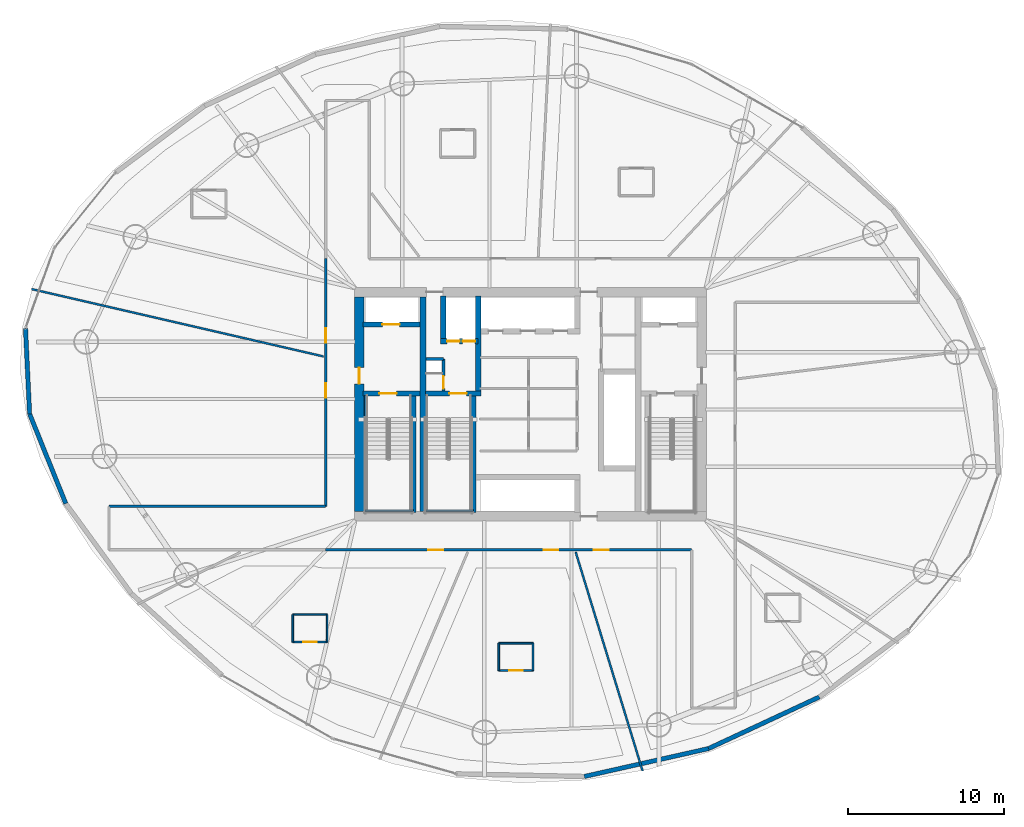
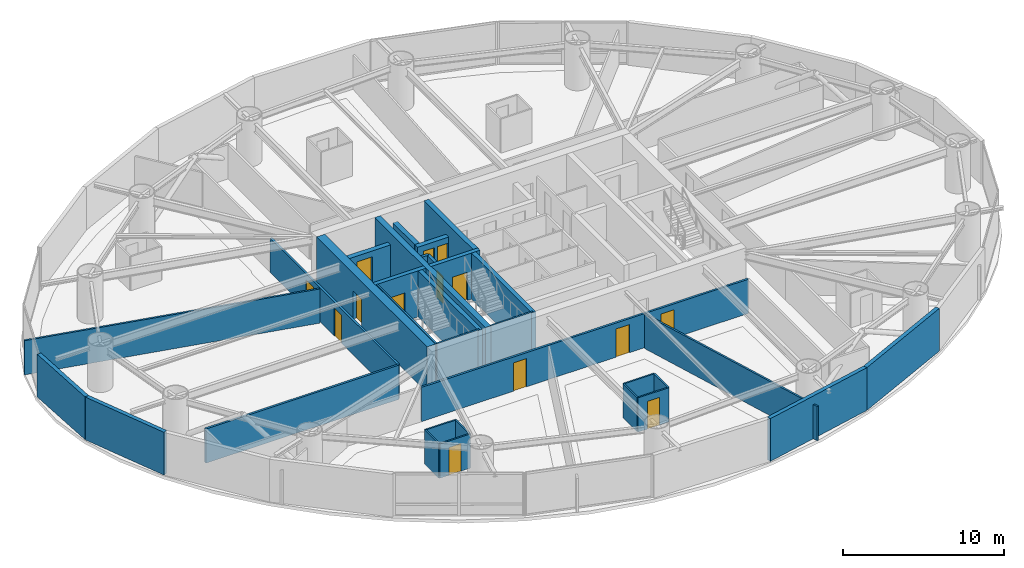
# One storey, part 16 of 23: 32 walls, 14 doors, 14 openings.
"""IFC4 building model written with IfcOpenShell, lengths in metres."""

from ifc_helpers import new_model, si_unit, direction, frame, frame_2d, origin, place, context, subcontext, project, spatial, rectangle, extrude, material, layer, layer_set, type_object, element, fill, save


model = new_model("IFC4")

# Units and contexts
model_context = context("Model", 3, precision=1e-05, world=origin(), true_north=direction((0.0, 1.0)))
body_context = subcontext(model_context, "Body", "Model", "MODEL_VIEW")
ifc_project = project(units=[si_unit("LENGTHUNIT", "METRE"), si_unit("AREAUNIT", "SQUARE_METRE"), si_unit("VOLUMEUNIT", "CUBIC_METRE"), si_unit("PLANEANGLEUNIT", "RADIAN"), si_unit("MASSUNIT", "GRAM", prefix="KILO")], contexts=[model_context])

# Site, building, storey
site_placement = place(None, origin())
site = spatial("IfcSite", under=ifc_project, at=site_placement, CompositionType="ELEMENT")
building_placement = place(site_placement, origin())
building = spatial("IfcBuilding", under=site, at=building_placement, Name="Bramvorn Convention Spire", CompositionType="ELEMENT")
storey_placement = place(building_placement, frame((0.0, 0.0, 69.39990234375)))
storey = spatial("IfcBuildingStorey", under=building, at=storey_placement, Name="L15", CompositionType="ELEMENT", Elevation=69.39990234375)

# Wall, opening, door
ifc_material_1 = material(Name="Concrete C60/70", Category="concrete")
ifc_layer_1 = layer(ifc_material_1, 0.60009765625)
ifc_layer_set_1 = layer_set([ifc_layer_1], Name="Concrete C60/70 - WL-CORE-600")
wall_type_1 = type_object("IfcWallType", Name="WL-CORE-600", PredefinedType="SHEAR", material=ifc_layer_set_1)
wall_1_placement = place(storey_placement, frame((27.0, 19.10009765625, 0.0), z_axis=(0.0, 0.0, 1.0), x_axis=(0.0, 1.0, 0.0)))
wall_1 = element("IfcWall", 1, at=wall_1_placement, inside=storey, type_object=wall_type_1, Name="L15 West RC core shear wall", PredefinedType="SHEAR", context=body_context, shape_type="SweptSolid", body=[
    extrude(rectangle(XDim=13.7998046875, YDim=0.60009765625, at=frame_2d((6.89990234375, 0.0))), origin(), (0.0, 0.0, 1.0), 3.5),
])
opening_1_placement = place(wall_1_placement, frame((8.199951171875, 0.0, 0.0)))
opening_1 = element("IfcOpeningElement", 2, at=opening_1_placement, cuts=wall_1, Name="Opening DL-105", PredefinedType="OPENING", context=body_context, shape_type="SweptSolid", body=[
    extrude(rectangle(XDim=1.050048828125, YDim=2.14990234375, at=frame_2d((0.52490234375, 1.074951171875))), frame((0.0, 0.31005859375, 0.0), z_axis=(0.0, -1.0, 0.0), x_axis=(1.0, 0.0, 0.0)), (0.0, 0.0, 1.0), 0.6201171875),
])
ifc_material_2 = material(Name="Smoke-Sealed Fire Lobby Timber-Core Door", Category="wood")
door_type_1 = type_object("IfcDoorType", Name="DR-LOBBY-1050", OperationType="NOTDEFINED", PredefinedType="DOOR", material=ifc_material_2)
door_1_placement = place(opening_1_placement, origin())
door_1 = element("IfcDoor", 3, at=door_1_placement, inside=storey, type_object=door_type_1, Name="L15 West Firefighting Lobby corridor door", OperationType="SINGLE_SWING_RIGHT", OverallHeight=2.14990234375, OverallWidth=1.050048828125, PredefinedType="DOOR", context=body_context, shape_type="SweptSolid", body=[
    extrude(rectangle(XDim=1.050048828125, YDim=2.14990234375, at=frame_2d((0.52490234375, 1.074951171875))), frame((0.0, 0.02490234375, 0.0), z_axis=(0.0, -1.0, 0.0), x_axis=(1.0, 0.0, 0.0)), (0.0, 0.0, 1.0), 0.050048828125),
])
fill(opening_1, door_1)

ifc_material_3 = material(Name="Concrete C50/60", Category="concrete")
ifc_layer_2 = layer(ifc_material_3, 0.35009765625)
ifc_layer_set_2 = layer_set([ifc_layer_2], Name="Concrete C50/60 - WL-CORE-INT-350")
wall_type_2 = type_object("IfcWallType", Name="WL-CORE-INT-350", PredefinedType="SHEAR", material=ifc_layer_set_2)
wall_2_placement = place(storey_placement, frame((27.25, 31.1201171875, 0.0), z_axis=(0.0, 0.0, 1.0), x_axis=(1.0, 0.0, 0.0)))
wall_2 = element("IfcWall", 4, at=wall_2_placement, inside=storey, type_object=wall_type_2, Name="L15 FE1 shaft front wall", PredefinedType="SHEAR", context=body_context, shape_type="SweptSolid", body=[
    extrude(rectangle(XDim=3.669921875, YDim=0.35009765625, at=frame_2d((1.8349609375, 0.0))), origin(), (0.0, 0.0, 1.0), 2.60009765625),
])
opening_2_placement = place(wall_2_placement, frame((1.25, 0.0, 0.0)))
opening_2 = element("IfcOpeningElement", 5, at=opening_2_placement, cuts=wall_2, Name="Opening LD-110", PredefinedType="OPENING", context=body_context, shape_type="SweptSolid", body=[
    extrude(rectangle(XDim=1.10009765625, YDim=2.14990234375, at=frame_2d((0.550048828125, 1.074951171875))), frame((0.0, 0.18505859375, 0.0), z_axis=(0.0, -1.0, 0.0), x_axis=(1.0, 0.0, 0.0)), (0.0, 0.0, 1.0), 0.3701171875),
])
ifc_material_4 = material(Name="Firefighting & Service Lift Sliding Landing Door", Category="steel")
door_type_2 = type_object("IfcDoorType", Name="DR-LIFT-LD-1100", OperationType="NOTDEFINED", PredefinedType="DOOR", material=ifc_material_4)
door_2_placement = place(opening_2_placement, origin())
door_2 = element("IfcDoor", 6, at=door_2_placement, inside=storey, type_object=door_type_2, Name="L15 Lift FE1 Sliding Landing Door", OperationType="SLIDING_TO_LEFT", OverallHeight=2.14990234375, OverallWidth=1.10009765625, PredefinedType="DOOR", context=body_context, shape_type="SweptSolid", body=[
    extrude(rectangle(XDim=1.10009765625, YDim=2.14990234375, at=frame_2d((0.550048828125, 1.074951171875))), frame((0.0, 0.02490234375, 0.0), z_axis=(0.0, -1.0, 0.0), x_axis=(1.0, 0.0, 0.0)), (0.0, 0.0, 1.0), 0.050048828125),
])
fill(opening_2, door_2)

# Wall
wall_3_placement = place(storey_placement, frame((34.639892578125, 26.68994140625, 0.0), z_axis=(0.0, 0.0, 1.0), x_axis=(0.0, 1.0, 0.0)))
element("IfcWall", 7, at=wall_3_placement, inside=storey, type_object=wall_type_2, Name="L15 SV east core shaft wall", PredefinedType="SHEAR", context=body_context, shape_type="SweptSolid", body=[
    extrude(rectangle(XDim=6.260009765625, YDim=0.35009765625, at=frame_2d((3.1298828125, 0.0))), origin(), (0.0, 0.0, 1.0), 3.5),
])

# Wall, openings, doors
wall_4_placement = place(storey_placement, frame((32.22998046875, 30.050048828125, 0.0), z_axis=(0.0, 0.0, 1.0), x_axis=(1.0, 0.0, 0.0)))
wall_4 = element("IfcWall", 8, at=wall_4_placement, inside=storey, type_object=wall_type_2, Name="L15 SV1/SV2 shaft front wall", PredefinedType="SHEAR", context=body_context, shape_type="SweptSolid", body=[
    extrude(rectangle(XDim=2.409912109375, YDim=0.35009765625, at=frame_2d((1.205078125, 0.0))), origin(), (0.0, 0.0, 1.0), 2.60009765625),
])
opening_3_placement = place(wall_4_placement, frame((0.419921875, 0.0, 0.0)))
opening_3 = element("IfcOpeningElement", 9, at=opening_3_placement, cuts=wall_4, Name="Opening LD-080", PredefinedType="OPENING", context=body_context, shape_type="SweptSolid", body=[
    extrude(rectangle(XDim=0.800048828125, YDim=2.14990234375, at=frame_2d((0.39990234375, 1.074951171875))), frame((0.0, 0.18505859375, 0.0), z_axis=(0.0, -1.0, 0.0), x_axis=(1.0, 0.0, 0.0)), (0.0, 0.0, 1.0), 0.3701171875),
])
opening_4_placement = place(wall_4_placement, frame((1.419921875, 0.0, 0.0)))
opening_4 = element("IfcOpeningElement", 10, at=opening_4_placement, cuts=wall_4, Name="Opening LD-080", PredefinedType="OPENING", context=body_context, shape_type="SweptSolid", body=[
    extrude(rectangle(XDim=0.800048828125, YDim=2.14990234375, at=frame_2d((0.39990234375, 1.074951171875))), frame((0.0, 0.18505859375, 0.0), z_axis=(0.0, -1.0, 0.0), x_axis=(1.0, 0.0, 0.0)), (0.0, 0.0, 1.0), 0.3701171875),
])
ifc_material_5 = material(Name="Service Lift Bi-Parting Landing Door", Category="steel")
door_type_3 = type_object("IfcDoorType", Name="DR-LIFT-LD-800", OperationType="NOTDEFINED", PredefinedType="DOOR", material=ifc_material_5)
door_3_placement = place(opening_3_placement, origin())
door_3 = element("IfcDoor", 11, at=door_3_placement, inside=storey, type_object=door_type_3, Name="L15 Lift SV1 Sliding Landing Door", OperationType="SLIDING_TO_LEFT", OverallHeight=2.14990234375, OverallWidth=0.800048828125, PredefinedType="DOOR", context=body_context, shape_type="SweptSolid", body=[
    extrude(rectangle(XDim=0.800048828125, YDim=2.14990234375, at=frame_2d((0.39990234375, 1.074951171875))), frame((0.0, 0.02490234375, 0.0), z_axis=(0.0, -1.0, 0.0), x_axis=(1.0, 0.0, 0.0)), (0.0, 0.0, 1.0), 0.050048828125),
])
fill(opening_3, door_3)
door_4_placement = place(opening_4_placement, origin())
door_4 = element("IfcDoor", 12, at=door_4_placement, inside=storey, type_object=door_type_3, Name="L15 Lift SV2 Sliding Landing Door", OperationType="SLIDING_TO_LEFT", OverallHeight=2.14990234375, OverallWidth=0.800048828125, PredefinedType="DOOR", context=body_context, shape_type="SweptSolid", body=[
    extrude(rectangle(XDim=0.800048828125, YDim=2.14990234375, at=frame_2d((0.39990234375, 1.074951171875))), frame((0.0, 0.02490234375, 0.0), z_axis=(0.0, -1.0, 0.0), x_axis=(1.0, 0.0, 0.0)), (0.0, 0.0, 1.0), 0.050048828125),
])
fill(opening_4, door_4)

# Walls
wall_5_placement = place(storey_placement, frame((32.39990234375, 30.219970703125, 0.0), z_axis=(0.0, 0.0, 1.0), x_axis=(0.0, 1.0, 0.0)))
element("IfcWall", 13, at=wall_5_placement, inside=storey, type_object=wall_type_2, Name="L15 SV1 west hoistway wall", PredefinedType="SHEAR", context=body_context, shape_type="SweptSolid", body=[
    extrude(rectangle(XDim=2.72998046875, YDim=0.35009765625, at=frame_2d((1.364990234375, 0.0))), origin(), (0.0, 0.0, 1.0), 2.60009765625),
])
ifc_layer_3 = layer(ifc_material_1, 0.39990234375)
ifc_layer_set_3 = layer_set([ifc_layer_3], Name="Concrete C60/70 - WL-CORE-INT-400")
wall_type_3 = type_object("IfcWallType", Name="WL-CORE-INT-400", PredefinedType="SHEAR", material=ifc_layer_set_3)
wall_6_placement = place(storey_placement, frame((31.10009765625, 19.10009765625, 0.0), z_axis=(0.0, 0.0, 1.0), x_axis=(0.0, 1.0, 0.0)))
element("IfcWall", 14, at=wall_6_placement, inside=storey, type_object=wall_type_3, Name="L15 West internal core shear web", PredefinedType="SHEAR", context=body_context, shape_type="SweptSolid", body=[
    extrude(rectangle(XDim=13.7998046875, YDim=0.39990234375, at=frame_2d((6.89990234375, 0.0))), origin(), (0.0, 0.0, 1.0), 3.5),
])
ifc_material_6 = material(Name="Precast Concrete C40/50 with Bronze Terracotta Rainscreen", Category="masonry")
ifc_layer_4 = layer(ifc_material_6, 0.300048828125)
ifc_layer_set_4 = layer_set([ifc_layer_4], Name="Precast Concrete C40/50 with Bronze Terracotta Rainscreen - WL-EXT-BRONZE-300")
wall_type_4 = type_object("IfcWallType", Name="WL-EXT-BRONZE-300", PredefinedType="SOLIDWALL", material=ifc_layer_set_4)
wall_7_placement = place(storey_placement, frame((5.846923828125, 25.38232421875, 0.0), z_axis=(0.0, 0.0, 1.0), x_axis=(-0.047784583266, 0.998857664336, 0.0)))
element("IfcWall", 15, at=wall_7_placement, inside=storey, type_object=wall_type_4, Name="L15 expressed bronze Gothic lancet pier wall 13", PredefinedType="SOLIDWALL", context=body_context, shape_type="SweptSolid", body=[
    extrude(rectangle(XDim=5.49755859375, YDim=0.280029296875, at=frame_2d((2.748779296875, 0.0))), origin(), (0.0, 0.0, 1.0), 3.25),
])
wall_8_placement = place(storey_placement, frame((8.171142578125, 19.621337890625, 0.0), z_axis=(0.0, 0.0, 1.0), x_axis=(-0.374140076089, 0.927372203306, 0.0)))
element("IfcWall", 16, at=wall_8_placement, inside=storey, type_object=wall_type_4, Name="L15 expressed bronze Gothic lancet pier wall 14", PredefinedType="SOLIDWALL", context=body_context, shape_type="SweptSolid", body=[
    extrude(rectangle(XDim=6.212158203125, YDim=0.280029296875, at=frame_2d((3.10595703125, 0.0))), origin(), (0.0, 0.0, 1.0), 3.25),
])
wall_9_placement = place(storey_placement, frame((49.43115234375, 3.89794921875, 0.0), z_axis=(0.0, 0.0, 1.0), x_axis=(-0.975627030245, -0.219435407023, 0.0)))
element("IfcWall", 17, at=wall_9_placement, inside=storey, type_object=wall_type_4, Name="L15 expressed bronze Gothic lancet pier wall 20", PredefinedType="SOLIDWALL", context=body_context, shape_type="SweptSolid", body=[
    extrude(rectangle(XDim=8.1708984375, YDim=0.280029296875, at=frame_2d((4.08544921875, 0.0))), origin(), (0.0, 0.0, 1.0), 3.25),
])
wall_10_placement = place(storey_placement, frame((56.54296875, 7.209228515625, 0.0), z_axis=(0.0, 0.0, 1.0), x_axis=(-0.90655249664, -0.422093083142, 0.0)))
element("IfcWall", 18, at=wall_10_placement, inside=storey, type_object=wall_type_4, Name="L15 expressed bronze Gothic lancet pier wall 21", PredefinedType="SOLIDWALL", context=body_context, shape_type="SweptSolid", body=[
    extrude(rectangle(XDim=7.844970703125, YDim=0.280029296875, at=frame_2d((3.92236328125, 0.0))), origin(), (0.0, 0.0, 1.0), 3.25),
])

# Wall, opening, door
ifc_material_7 = material(Name="Lightweight En-Suite & Wet-Wall Partition", Category="gypsum")
ifc_layer_5 = layer(ifc_material_7, 0.110107421875)
ifc_layer_set_5 = layer_set([ifc_layer_5], Name="Lightweight En-Suite & Wet-Wall Partition - WL-PART-110")
wall_type_5 = type_object("IfcWallType", Name="WL-PART-110", PredefinedType="PARTITIONING", material=ifc_layer_set_5)
wall_11_placement = place(storey_placement, frame((22.7451171875, 10.73583984375, 0.0), z_axis=(0.0, 0.0, 1.0), x_axis=(1.0, 0.0, 0.0)))
wall_11 = element("IfcWall", 19, at=wall_11_placement, inside=storey, type_object=wall_type_5, Name="Hotel Suite 1506 en-suite south wall", PredefinedType="PARTITIONING", context=body_context, shape_type="SweptSolid", body=[
    extrude(rectangle(XDim=2.199951171875, YDim=0.110107421875, at=frame_2d((1.10009765625, 0.0))), origin(), (0.0, 0.0, 1.0), 2.60009765625),
])
opening_5_placement = place(wall_11_placement, frame((0.679931640625, 0.0, 0.0)))
opening_5 = element("IfcOpeningElement", 20, at=opening_5_placement, cuts=wall_11, Name="Opening DI-085", PredefinedType="OPENING", context=body_context, shape_type="SweptSolid", body=[
    extrude(rectangle(XDim=0.85009765625, YDim=2.10009765625, at=frame_2d((0.425048828125, 1.050048828125))), frame((0.0, 0.06494140625, 0.0), z_axis=(0.0, -1.0, 0.0), x_axis=(1.0, 0.0, 0.0)), (0.0, 0.0, 1.0), 0.130126953125),
])
ifc_material_8 = material(Name="En-Suite & Restroom Privacy Door", Category="wood")
door_type_4 = type_object("IfcDoorType", Name="DR-INT-850", OperationType="NOTDEFINED", PredefinedType="DOOR", material=ifc_material_8)
door_5_placement = place(opening_5_placement, origin())
door_5 = element("IfcDoor", 21, at=door_5_placement, inside=storey, type_object=door_type_4, Name="Hotel Suite 1506 En-Suite Bathroom door", OperationType="SINGLE_SWING_LEFT", OverallHeight=2.10009765625, OverallWidth=0.85009765625, PredefinedType="DOOR", context=body_context, shape_type="SweptSolid", body=[
    extrude(rectangle(XDim=0.85009765625, YDim=2.10009765625, at=frame_2d((0.425048828125, 1.050048828125))), frame((0.0, 0.02490234375, 0.0), z_axis=(0.0, -1.0, 0.0), x_axis=(1.0, 0.0, 0.0)), (0.0, 0.0, 1.0), 0.050048828125),
])
fill(opening_5, door_5)

# Walls
wall_12_placement = place(storey_placement, frame((22.7451171875, 12.495849609375, 0.0), z_axis=(0.0, 0.0, 1.0), x_axis=(1.0, 0.0, 0.0)))
element("IfcWall", 22, at=wall_12_placement, inside=storey, type_object=wall_type_5, Name="Hotel Suite 1506 en-suite north wall", PredefinedType="PARTITIONING", context=body_context, shape_type="SweptSolid", body=[
    extrude(rectangle(XDim=2.199951171875, YDim=0.110107421875, at=frame_2d((1.10009765625, 0.0))), origin(), (0.0, 0.0, 1.0), 2.60009765625),
])
for number, where, z_axis, x_axis, name in (
    (23, (22.7451171875, 10.73583984375, 0.0), (0.0, 0.0, 1.0), (0.0, 1.0, 0.0), "Hotel Suite 1506 en-suite west wall"),
    (24, (24.945068359375, 10.73583984375, 0.0), (0.0, 0.0, 1.0), (0.0, 1.0, 0.0), "Hotel Suite 1506 en-suite east wall"),
):
    element("IfcWall", number, at=place(storey_placement, frame(where, z_axis=z_axis, x_axis=x_axis)), inside=storey, type_object=wall_type_5, Name=name, PredefinedType="PARTITIONING", context=body_context, shape_type="SweptSolid", body=[
        extrude(rectangle(XDim=1.760009765625, YDim=0.110107421875, at=frame_2d((0.8798828125, 0.0))), origin(), (0.0, 0.0, 1.0), 2.60009765625),
    ])

# Wall, opening, door
wall_13_placement = place(storey_placement, frame((35.96142578125, 8.902099609375, 0.0), z_axis=(0.0, 0.0, 1.0), x_axis=(1.0, 0.0, 0.0)))
wall_13 = element("IfcWall", 25, at=wall_13_placement, inside=storey, type_object=wall_type_5, Name="Hotel Suite 1507 en-suite south wall", PredefinedType="PARTITIONING", context=body_context, shape_type="SweptSolid", body=[
    extrude(rectangle(XDim=2.2001953125, YDim=0.110107421875, at=frame_2d((1.10009765625, 0.0))), origin(), (0.0, 0.0, 1.0), 2.60009765625),
])
opening_6_placement = place(wall_13_placement, frame((0.679931640625, 0.0, 0.0)))
opening_6 = element("IfcOpeningElement", 26, at=opening_6_placement, cuts=wall_13, Name="Opening DI-085", PredefinedType="OPENING", context=body_context, shape_type="SweptSolid", body=[
    extrude(rectangle(XDim=0.85009765625, YDim=2.10009765625, at=frame_2d((0.425048828125, 1.050048828125))), frame((0.0, 0.06494140625, 0.0), z_axis=(0.0, -1.0, 0.0), x_axis=(1.0, 0.0, 0.0)), (0.0, 0.0, 1.0), 0.130126953125),
])
door_6_placement = place(opening_6_placement, origin())
door_6 = element("IfcDoor", 27, at=door_6_placement, inside=storey, type_object=door_type_4, Name="Hotel Suite 1507 En-Suite Bathroom door", OperationType="SINGLE_SWING_LEFT", OverallHeight=2.10009765625, OverallWidth=0.85009765625, PredefinedType="DOOR", context=body_context, shape_type="SweptSolid", body=[
    extrude(rectangle(XDim=0.85009765625, YDim=2.10009765625, at=frame_2d((0.425048828125, 1.050048828125))), frame((0.0, 0.02490234375, 0.0), z_axis=(0.0, -1.0, 0.0), x_axis=(1.0, 0.0, 0.0)), (0.0, 0.0, 1.0), 0.050048828125),
])
fill(opening_6, door_6)

# Walls
wall_14_placement = place(storey_placement, frame((35.96142578125, 10.662109375, 0.0), z_axis=(0.0, 0.0, 1.0), x_axis=(1.0, 0.0, 0.0)))
element("IfcWall", 28, at=wall_14_placement, inside=storey, type_object=wall_type_5, Name="Hotel Suite 1507 en-suite north wall", PredefinedType="PARTITIONING", context=body_context, shape_type="SweptSolid", body=[
    extrude(rectangle(XDim=2.2001953125, YDim=0.110107421875, at=frame_2d((1.10009765625, 0.0))), origin(), (0.0, 0.0, 1.0), 2.60009765625),
])
for number, where, z_axis, x_axis, name in (
    (29, (35.96142578125, 8.902099609375, 0.0), (0.0, 0.0, 1.0), (0.0, 1.0, 0.0), "Hotel Suite 1507 en-suite west wall"),
    (30, (38.16162109375, 8.902099609375, 0.0), (0.0, 0.0, 1.0), (0.0, 1.0, 0.0), "Hotel Suite 1507 en-suite east wall"),
):
    element("IfcWall", number, at=place(storey_placement, frame(where, z_axis=z_axis, x_axis=x_axis)), inside=storey, type_object=wall_type_5, Name=name, PredefinedType="PARTITIONING", context=body_context, shape_type="SweptSolid", body=[
        extrude(rectangle(XDim=1.760009765625, YDim=0.110107421875, at=frame_2d((0.8798828125, 0.0))), origin(), (0.0, 0.0, 1.0), 2.60009765625),
    ])
ifc_material_9 = material(Name="Metal-Stud Demountable Office Partition", Category="gypsum")
ifc_layer_6 = layer(ifc_material_9, 0.1298828125)
ifc_layer_set_6 = layer_set([ifc_layer_6], Name="Metal-Stud Demountable Office Partition - WL-PART-130")
wall_type_6 = type_object("IfcWallType", Name="WL-PART-130", PredefinedType="PARTITIONING", material=ifc_layer_set_6)
wall_15_placement = place(storey_placement, frame((24.7099609375, 29.068115234375, 0.0), z_axis=(0.0, 0.0, 1.0), x_axis=(-0.974369585044, 0.224953132321, 0.0)))
element("IfcWall", 31, at=wall_15_placement, inside=storey, type_object=wall_type_6, Name="L15 Guestroom demising wall 5", PredefinedType="PARTITIONING", context=body_context, shape_type="SweptSolid", body=[
    extrude(rectangle(XDim=19.234619140625, YDim=0.1298828125, at=frame_2d((9.6171875, 0.0))), origin(), (0.0, 0.0, 1.0), 2.60009765625),
])
wall_16_placement = place(storey_placement, frame((40.9013671875, 16.510009765625, 0.0), z_axis=(0.0, 0.0, 1.0), x_axis=(0.292374733108, -0.956303830087, 0.0)))
element("IfcWall", 32, at=wall_16_placement, inside=storey, type_object=wall_type_6, Name="L15 Guestroom demising wall 8", PredefinedType="PARTITIONING", context=body_context, shape_type="SweptSolid", body=[
    extrude(rectangle(XDim=14.6923828125, YDim=0.1298828125, at=frame_2d((7.34619140625, 0.0))), origin(), (0.0, 0.0, 1.0), 2.60009765625),
])

# Wall, openings, doors
ifc_material_10 = material(Name="Acoustic Metal-Stud Tenant/Corridor Partition", Category="gypsum")
ifc_layer_7 = layer(ifc_material_10, 0.14990234375)
ifc_layer_set_7 = layer_set([ifc_layer_7], Name="Acoustic Metal-Stud Tenant/Corridor Partition - WL-PART-150")
wall_type_7 = type_object("IfcWallType", Name="WL-PART-150", PredefinedType="PARTITIONING", material=ifc_layer_set_7)
wall_17_placement = place(storey_placement, frame((24.85009765625, 16.64990234375, 0.0), z_axis=(0.0, 0.0, 1.0), x_axis=(1.0, 0.0, 0.0)))
wall_17 = element("IfcWall", 33, at=wall_17_placement, inside=storey, type_object=wall_type_7, Name="L15 South ring corridor wall", PredefinedType="PARTITIONING", context=body_context, shape_type="SweptSolid", body=[
    extrude(rectangle(XDim=23.5, YDim=0.14990234375, at=frame_2d((11.75, 0.0))), origin(), (0.0, 0.0, 1.0), 2.60009765625),
])
opening_7_placement = place(wall_17_placement, frame((6.59521484375, 0.0, 0.0)))
opening_7 = element("IfcOpeningElement", 34, at=opening_7_placement, cuts=wall_17, Name="Opening DH-095", PredefinedType="OPENING", context=body_context, shape_type="SweptSolid", body=[
    extrude(rectangle(XDim=0.949951171875, YDim=2.14990234375, at=frame_2d((0.47509765625, 1.074951171875))), frame((0.0, 0.0849609375, 0.0), z_axis=(0.0, -1.0, 0.0), x_axis=(1.0, 0.0, 0.0)), (0.0, 0.0, 1.0), 0.169921875),
])
opening_8_placement = place(wall_17_placement, frame((13.98974609375, 0.0, 0.0)))
opening_8 = element("IfcOpeningElement", 35, at=opening_8_placement, cuts=wall_17, Name="Opening DH-095", PredefinedType="OPENING", context=body_context, shape_type="SweptSolid", body=[
    extrude(rectangle(XDim=0.949951171875, YDim=2.14990234375, at=frame_2d((0.47509765625, 1.074951171875))), frame((0.0, 0.0849609375, 0.0), z_axis=(0.0, -1.0, 0.0), x_axis=(1.0, 0.0, 0.0)), (0.0, 0.0, 1.0), 0.169921875),
])
opening_9_placement = place(wall_17_placement, frame((17.21142578125, 0.0, 0.0)))
opening_9 = element("IfcOpeningElement", 36, at=opening_9_placement, cuts=wall_17, Name="Opening DH-095", PredefinedType="OPENING", context=body_context, shape_type="SweptSolid", body=[
    extrude(rectangle(XDim=0.949951171875, YDim=2.14990234375, at=frame_2d((0.47509765625, 1.074951171875))), frame((0.0, 0.0849609375, 0.0), z_axis=(0.0, -1.0, 0.0), x_axis=(1.0, 0.0, 0.0)), (0.0, 0.0, 1.0), 0.169921875),
])
ifc_material_11 = material(Name="Solid-Core Acoustic Guestroom Entry Door", Category="wood")
door_type_5 = type_object("IfcDoorType", Name="DR-HOTEL-950", OperationType="NOTDEFINED", PredefinedType="DOOR", material=ifc_material_11)
door_7_placement = place(opening_7_placement, origin())
door_7 = element("IfcDoor", 37, at=door_7_placement, inside=storey, type_object=door_type_5, Name="Hotel Suite 1506 entry door", OperationType="SINGLE_SWING_RIGHT", OverallHeight=2.14990234375, OverallWidth=0.949951171875, PredefinedType="DOOR", context=body_context, shape_type="SweptSolid", body=[
    extrude(rectangle(XDim=0.949951171875, YDim=2.14990234375, at=frame_2d((0.47509765625, 1.074951171875))), frame((0.0, 0.02490234375, 0.0), z_axis=(0.0, -1.0, 0.0), x_axis=(1.0, 0.0, 0.0)), (0.0, 0.0, 1.0), 0.050048828125),
])
fill(opening_7, door_7)
door_8_placement = place(opening_8_placement, origin())
door_8 = element("IfcDoor", 38, at=door_8_placement, inside=storey, type_object=door_type_5, Name="Hotel Suite 1507 entry door", OperationType="SINGLE_SWING_RIGHT", OverallHeight=2.14990234375, OverallWidth=0.949951171875, PredefinedType="DOOR", context=body_context, shape_type="SweptSolid", body=[
    extrude(rectangle(XDim=0.949951171875, YDim=2.14990234375, at=frame_2d((0.47509765625, 1.074951171875))), frame((0.0, 0.02490234375, 0.0), z_axis=(0.0, -1.0, 0.0), x_axis=(1.0, 0.0, 0.0)), (0.0, 0.0, 1.0), 0.050048828125),
])
fill(opening_8, door_8)
door_9_placement = place(opening_9_placement, origin())
door_9 = element("IfcDoor", 39, at=door_9_placement, inside=storey, type_object=door_type_5, Name="Hotel Suite 1508 entry door", OperationType="SINGLE_SWING_LEFT", OverallHeight=2.14990234375, OverallWidth=0.949951171875, PredefinedType="DOOR", context=body_context, shape_type="SweptSolid", body=[
    extrude(rectangle(XDim=0.949951171875, YDim=2.14990234375, at=frame_2d((0.47509765625, 1.074951171875))), frame((0.0, 0.02490234375, 0.0), z_axis=(0.0, -1.0, 0.0), x_axis=(1.0, 0.0, 0.0)), (0.0, 0.0, 1.0), 0.050048828125),
])
fill(opening_9, door_9)

wall_18_placement = place(storey_placement, frame((24.85009765625, 19.449951171875, 0.0), z_axis=(0.0, 0.0, 1.0), x_axis=(0.0, 1.0, 0.0)))
wall_18 = element("IfcWall", 40, at=wall_18_placement, inside=storey, type_object=wall_type_7, Name="L15 West ring corridor wall", PredefinedType="PARTITIONING", context=body_context, shape_type="SweptSolid", body=[
    extrude(rectangle(XDim=15.900146484375, YDim=0.14990234375, at=frame_2d((7.9501953125, 0.0))), origin(), (0.0, 0.0, 1.0), 2.60009765625),
])
opening_10_placement = place(wall_18_placement, frame((10.48779296875, 0.0, 0.0)))
opening_10 = element("IfcOpeningElement", 41, at=opening_10_placement, cuts=wall_18, Name="Opening DH-095", PredefinedType="OPENING", context=body_context, shape_type="SweptSolid", body=[
    extrude(rectangle(XDim=0.949951171875, YDim=2.14990234375, at=frame_2d((0.47509765625, 1.074951171875))), frame((0.0, 0.0849609375, 0.0), z_axis=(0.0, -1.0, 0.0), x_axis=(1.0, 0.0, 0.0)), (0.0, 0.0, 1.0), 0.169921875),
])
opening_11_placement = place(wall_18_placement, frame((6.95751953125, 0.0, 0.0)))
opening_11 = element("IfcOpeningElement", 42, at=opening_11_placement, cuts=wall_18, Name="Opening DH-095", PredefinedType="OPENING", context=body_context, shape_type="SweptSolid", body=[
    extrude(rectangle(XDim=0.949951171875, YDim=2.14990234375, at=frame_2d((0.47509765625, 1.074951171875))), frame((0.0, 0.0849609375, 0.0), z_axis=(0.0, -1.0, 0.0), x_axis=(1.0, 0.0, 0.0)), (0.0, 0.0, 1.0), 0.169921875),
])
door_10_placement = place(opening_10_placement, origin())
door_10 = element("IfcDoor", 43, at=door_10_placement, inside=storey, type_object=door_type_5, Name="Hotel Suite 1504 entry door", OperationType="SINGLE_SWING_RIGHT", OverallHeight=2.14990234375, OverallWidth=0.949951171875, PredefinedType="DOOR", context=body_context, shape_type="SweptSolid", body=[
    extrude(rectangle(XDim=0.949951171875, YDim=2.14990234375, at=frame_2d((0.47509765625, 1.074951171875))), frame((0.0, 0.02490234375, 0.0), z_axis=(0.0, -1.0, 0.0), x_axis=(1.0, 0.0, 0.0)), (0.0, 0.0, 1.0), 0.050048828125),
])
fill(opening_10, door_10)
door_11_placement = place(opening_11_placement, origin())
door_11 = element("IfcDoor", 44, at=door_11_placement, inside=storey, type_object=door_type_5, Name="L15 Hospitality Salon 5 door", OperationType="SINGLE_SWING_RIGHT", OverallHeight=2.14990234375, OverallWidth=0.949951171875, PredefinedType="DOOR", context=body_context, shape_type="SweptSolid", body=[
    extrude(rectangle(XDim=0.949951171875, YDim=2.14990234375, at=frame_2d((0.47509765625, 1.074951171875))), frame((0.0, 0.02490234375, 0.0), z_axis=(0.0, -1.0, 0.0), x_axis=(1.0, 0.0, 0.0)), (0.0, 0.0, 1.0), 0.050048828125),
])
fill(opening_11, door_11)

# Wall
wall_19_placement = place(storey_placement, frame((10.948486328125, 19.449951171875, 0.0), z_axis=(0.0, 0.0, 1.0), x_axis=(1.0, 0.0, 0.0)))
element("IfcWall", 45, at=wall_19_placement, inside=storey, type_object=wall_type_7, Name="L15 SW pinwheel wing north wall", PredefinedType="PARTITIONING", context=body_context, shape_type="SweptSolid", body=[
    extrude(rectangle(XDim=13.901611328125, YDim=0.14990234375, at=frame_2d((6.95068359375, 0.0))), origin(), (0.0, 0.0, 1.0), 2.60009765625),
])

# Wall, opening, door
ifc_material_12 = material(Name="Gypsum Shaftwall & Rockwool Core Partition", Category="gypsum")
ifc_layer_8 = layer(ifc_material_12, 0.199951171875)
ifc_layer_set_8 = layer_set([ifc_layer_8], Name="Gypsum Shaftwall & Rockwool Core Partition - WL-PART-200-FR")
wall_type_8 = type_object("IfcWallType", Name="WL-PART-200-FR", PredefinedType="PARTITIONING", material=ifc_layer_set_8)
wall_20_placement = place(storey_placement, frame((32.419921875, 26.860107421875, 0.0), z_axis=(0.0, 0.0, 1.0), x_axis=(0.0, 1.0, 0.0)))
wall_20 = element("IfcWall", 46, at=wall_20_placement, inside=storey, type_object=wall_type_8, Name="L15 Telecom riser east wall", PredefinedType="PARTITIONING", context=body_context, shape_type="SweptSolid", body=[
    extrude(rectangle(XDim=2.039794921875, YDim=0.199951171875, at=frame_2d((1.02001953125, 0.0))), origin(), (0.0, 0.0, 1.0), 2.60009765625),
])
opening_12_placement = place(wall_20_placement, frame((0.139892578125, 0.0, 0.0)))
opening_12 = element("IfcOpeningElement", 47, at=opening_12_placement, cuts=wall_20, Name="Opening DR-080", PredefinedType="OPENING", context=body_context, shape_type="SweptSolid", body=[
    extrude(rectangle(XDim=0.800048828125, YDim=2.050048828125, at=frame_2d((0.39990234375, 1.02490234375))), frame((0.0, 0.10986328125, 0.0), z_axis=(0.0, -1.0, 0.0), x_axis=(1.0, 0.0, 0.0)), (0.0, 0.0, 1.0), 0.219970703125),
])
ifc_material_13 = material(Name="Flush Steel Riser Access Door", Category="steel")
door_type_6 = type_object("IfcDoorType", Name="DR-RISER-800", OperationType="NOTDEFINED", PredefinedType="DOOR", material=ifc_material_13)
door_12_placement = place(opening_12_placement, origin())
door_12 = element("IfcDoor", 48, at=door_12_placement, inside=storey, type_object=door_type_6, Name="L15 Telecom riser access door", OperationType="SINGLE_SWING_RIGHT", OverallHeight=2.050048828125, OverallWidth=0.800048828125, PredefinedType="DOOR", context=body_context, shape_type="SweptSolid", body=[
    extrude(rectangle(XDim=0.800048828125, YDim=2.050048828125, at=frame_2d((0.39990234375, 1.02490234375))), frame((0.0, 0.02490234375, 0.0), z_axis=(0.0, -1.0, 0.0), x_axis=(1.0, 0.0, 0.0)), (0.0, 0.0, 1.0), 0.050048828125),
])
fill(opening_12, door_12)

# Wall
wall_21_placement = place(storey_placement, frame((31.300048828125, 28.89990234375, 0.0), z_axis=(0.0, 0.0, 1.0), x_axis=(1.0, 0.0, 0.0)))
element("IfcWall", 49, at=wall_21_placement, inside=storey, type_object=wall_type_8, Name="L15 Telecom riser north wall", PredefinedType="PARTITIONING", context=body_context, shape_type="SweptSolid", body=[
    extrude(rectangle(XDim=1.119873046875, YDim=0.199951171875, at=frame_2d((0.56005859375, 0.0))), origin(), (0.0, 0.0, 1.0), 2.60009765625),
])

# Wall, opening, door
ifc_layer_9 = layer(ifc_material_3, 0.300048828125)
ifc_layer_set_9 = layer_set([ifc_layer_9], Name="Concrete C50/60 - WL-POD-STAIR-300")
wall_type_9 = type_object("IfcWallType", Name="WL-POD-STAIR-300", PredefinedType="SHEAR", material=ifc_layer_set_9)
wall_22_placement = place(storey_placement, frame((27.25, 26.68994140625, 0.0), z_axis=(0.0, 0.0, 1.0), x_axis=(1.0, 0.0, 0.0)))
wall_22 = element("IfcWall", 50, at=wall_22_placement, inside=storey, type_object=wall_type_9, Name="L15 ST1 north fire wall", PredefinedType="SHEAR", context=body_context, shape_type="SweptSolid", body=[
    extrude(rectangle(XDim=3.669921875, YDim=0.300048828125, at=frame_2d((1.8349609375, 0.0))), origin(), (0.0, 0.0, 1.0), 3.5),
])
opening_13_placement = place(wall_22_placement, frame((1.050048828125, 0.0, 0.0)))
opening_13 = element("IfcOpeningElement", 51, at=opening_13_placement, cuts=wall_22, Name="Opening DS-110", PredefinedType="OPENING", context=body_context, shape_type="SweptSolid", body=[
    extrude(rectangle(XDim=1.10009765625, YDim=2.14990234375, at=frame_2d((0.550048828125, 1.074951171875))), frame((0.0, 0.159912109375, 0.0), z_axis=(0.0, -1.0, 0.0), x_axis=(1.0, 0.0, 0.0)), (0.0, 0.0, 1.0), 0.320068359375),
])
ifc_material_14 = material(Name="Fire-Rated Hollow Steel Stairwell Door", Category="steel")
door_type_7 = type_object("IfcDoorType", Name="DR-STAIR-1100", OperationType="NOTDEFINED", PredefinedType="DOOR", material=ifc_material_14)
door_13_placement = place(opening_13_placement, origin())
door_13 = element("IfcDoor", 52, at=door_13_placement, inside=storey, type_object=door_type_7, Name="L15 Stair ST1 fire door", OperationType="SINGLE_SWING_LEFT", OverallHeight=2.14990234375, OverallWidth=1.10009765625, PredefinedType="DOOR", context=body_context, shape_type="SweptSolid", body=[
    extrude(rectangle(XDim=1.10009765625, YDim=2.14990234375, at=frame_2d((0.550048828125, 1.074951171875))), frame((0.0, 0.02490234375, 0.0), z_axis=(0.0, -1.0, 0.0), x_axis=(1.0, 0.0, 0.0)), (0.0, 0.0, 1.0), 0.050048828125),
])
fill(opening_13, door_13)

# Walls
for number, where, z_axis, x_axis, name in (
    (53, (30.489990234375, 19.050048828125, 0.0), (0.0, 0.0, 1.0), (0.0, 1.0, 0.0), "L15 ST1 east bearing wall"),
    (54, (34.340087890625, 19.050048828125, 0.0), (0.0, 0.0, 1.0), (0.0, 1.0, 0.0), "L15 ST3 east bearing wall"),
):
    element("IfcWall", number, at=place(storey_placement, frame(where, z_axis=z_axis, x_axis=x_axis)), inside=storey, type_object=wall_type_9, Name=name, PredefinedType="SHEAR", context=body_context, shape_type="SweptSolid", body=[
        extrude(rectangle(XDim=7.5, YDim=0.300048828125, at=frame_2d((3.75, 0.0))), origin(), (0.0, 0.0, 1.0), 3.5),
    ])

# Wall, opening, door
wall_23_placement = place(storey_placement, frame((31.25, 26.68994140625, 0.0), z_axis=(0.0, 0.0, 1.0), x_axis=(1.0, 0.0, 0.0)))
wall_23 = element("IfcWall", 55, at=wall_23_placement, inside=storey, type_object=wall_type_9, Name="L15 ST3 north lobby wall", PredefinedType="SHEAR", context=body_context, shape_type="SweptSolid", body=[
    extrude(rectangle(XDim=3.56005859375, YDim=0.300048828125, at=frame_2d((1.780029296875, 0.0))), origin(), (0.0, 0.0, 1.0), 3.5),
])
opening_14_placement = place(wall_23_placement, frame((1.550048828125, 0.0, 0.0)))
opening_14 = element("IfcOpeningElement", 56, at=opening_14_placement, cuts=wall_23, Name="Opening DS-110", PredefinedType="OPENING", context=body_context, shape_type="SweptSolid", body=[
    extrude(rectangle(XDim=1.10009765625, YDim=2.14990234375, at=frame_2d((0.550048828125, 1.074951171875))), frame((0.0, 0.159912109375, 0.0), z_axis=(0.0, -1.0, 0.0), x_axis=(1.0, 0.0, 0.0)), (0.0, 0.0, 1.0), 0.320068359375),
])
door_14_placement = place(opening_14_placement, origin())
door_14 = element("IfcDoor", 57, at=door_14_placement, inside=storey, type_object=door_type_7, Name="L15 Stair ST3 fire door", OperationType="SINGLE_SWING_LEFT", OverallHeight=2.14990234375, OverallWidth=1.10009765625, PredefinedType="DOOR", context=body_context, shape_type="SweptSolid", body=[
    extrude(rectangle(XDim=1.10009765625, YDim=2.14990234375, at=frame_2d((0.550048828125, 1.074951171875))), frame((0.0, 0.02490234375, 0.0), z_axis=(0.0, -1.0, 0.0), x_axis=(1.0, 0.0, 0.0)), (0.0, 0.0, 1.0), 0.050048828125),
])
fill(opening_14, door_14)

# Walls
ifc_layer_10 = layer(ifc_material_3, 0.1201171875)
ifc_layer_set_10 = layer_set([ifc_layer_10], Name="Concrete C50/60 - WL-STAIR-RC-120")
wall_type_10 = type_object("IfcWallType", Name="WL-STAIR-RC-120", PredefinedType="SHEAR", material=ifc_layer_set_10)
wall_24_placement = place(storey_placement, frame((27.39501953125, 19.10009765625, 0.0), z_axis=(0.0, 0.0, 1.0), x_axis=(0.0, 1.0, 0.0)))
element("IfcWall", 58, at=wall_24_placement, inside=storey, type_object=wall_type_10, Name="L15 ST1 west bearing shear wall", PredefinedType="SHEAR", context=body_context, shape_type="SweptSolid", body=[
    extrude(rectangle(XDim=7.449951171875, YDim=0.1201171875, at=frame_2d((3.72509765625, 0.0))), origin(), (0.0, 0.0, 1.0), 3.5),
])
wall_25_placement = place(storey_placement, frame((27.39501953125, 19.159912109375, 0.0), z_axis=(0.0, 0.0, 1.0), x_axis=(1.0, 0.0, 0.0)))
element("IfcWall", 59, at=wall_25_placement, inside=storey, type_object=wall_type_10, Name="L15 ST1 south bearing shear wall", PredefinedType="SHEAR", context=body_context, shape_type="SweptSolid", body=[
    extrude(rectangle(XDim=3.094970703125, YDim=0.1201171875, at=frame_2d((1.54736328125, 0.0))), origin(), (0.0, 0.0, 1.0), 3.5),
])
wall_26_placement = place(storey_placement, frame((31.300048828125, 19.159912109375, 0.0), z_axis=(0.0, 0.0, 1.0), x_axis=(1.0, 0.0, 0.0)))
element("IfcWall", 60, at=wall_26_placement, inside=storey, type_object=wall_type_10, Name="L15 ST3 south bearing shear wall", PredefinedType="SHEAR", context=body_context, shape_type="SweptSolid", body=[
    extrude(rectangle(XDim=3.0400390625, YDim=0.1201171875, at=frame_2d((1.52001953125, 0.0))), origin(), (0.0, 0.0, 1.0), 3.5),
])

save(model, "model.ifc")
